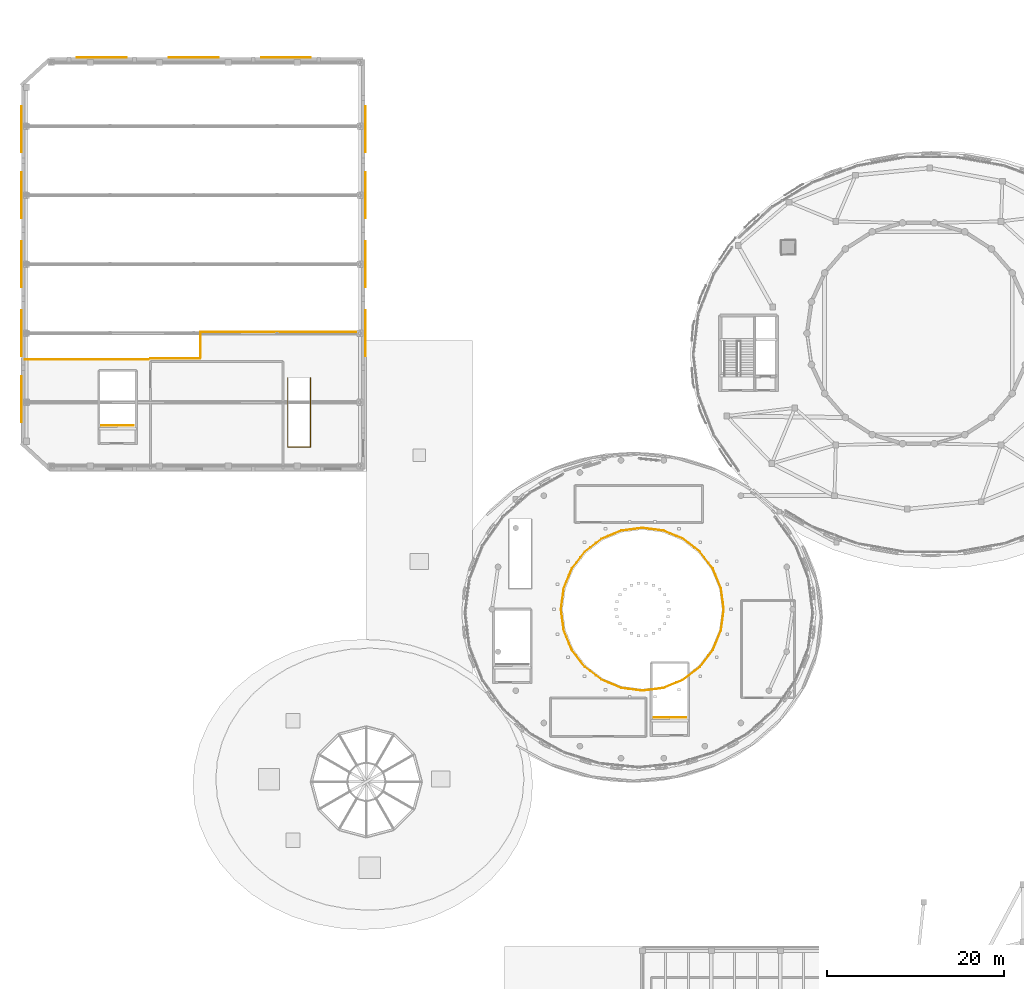
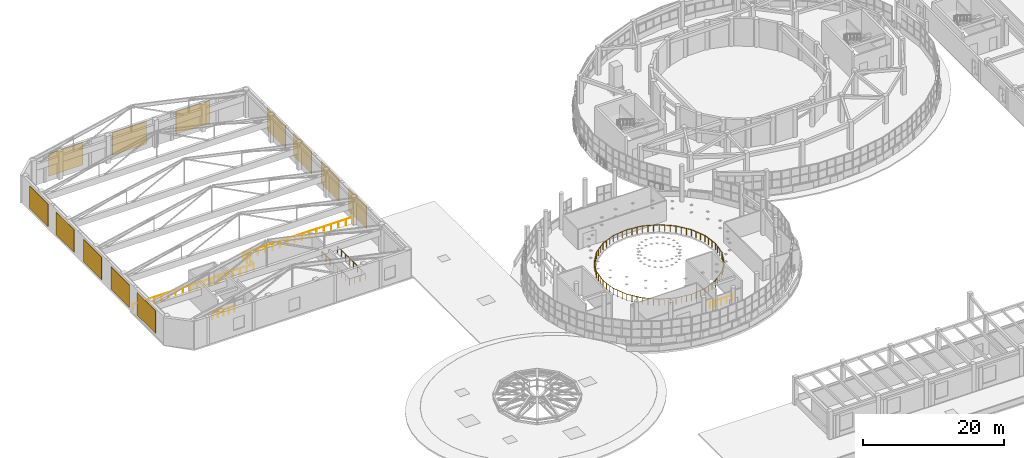
# One storey, part 102 of 105: 12 coverings, 7 railings.
"""IFC4 building model written with IfcOpenShell, lengths in metres."""

from ifc_helpers import new_model, si_unit, direction, frame, origin, origin_2d, place, context, subcontext, project, spatial, rectangle, circle, extrude, material, layer, layer_set, type_object, element, save


model = new_model("IFC4")

# Units and contexts
model_context = context("Model", 3, precision=1e-05, world=origin(), true_north=direction((0.0, 1.0)))
body_context = subcontext(model_context, "Body", "Model", "MODEL_VIEW")
ifc_project = project(units=[si_unit("LENGTHUNIT", "METRE"), si_unit("AREAUNIT", "SQUARE_METRE"), si_unit("VOLUMEUNIT", "CUBIC_METRE"), si_unit("PLANEANGLEUNIT", "RADIAN"), si_unit("MASSUNIT", "GRAM", prefix="KILO")], contexts=[model_context])

# Site, building, storey
site_placement = place(None, origin())
site = spatial("IfcSite", under=ifc_project, at=site_placement, CompositionType="ELEMENT")
building_placement = place(site_placement, origin())
building = spatial("IfcBuilding", under=site, at=building_placement, Name="Pelvatis Terrace Science Centre", CompositionType="ELEMENT")
storey_placement = place(building_placement, frame((0.0, 0.0, 10.199951171875)))
storey = spatial("IfcBuildingStorey", under=building, at=storey_placement, Name="L02", CompositionType="ELEMENT", Elevation=10.199951171875)

# Coverings
ifc_material_1 = material(Name="Fluted warm stone-aggregate precast facade relief panel", Category="masonry")
ifc_layer = layer(ifc_material_1, 0.054931640625)
ifc_layer_set = layer_set([ifc_layer], Name="Fluted warm stone-aggregate precast facade relief panel")
covering_type = type_object("IfcCoveringType", Name="COV-CLAD-PREC-55", PredefinedType="CLADDING", material=ifc_layer_set)
for number, where, z_axis, x_axis, name in (
    (1, (7.8173828125, 78.35009765625, 0.5), (0.0, 0.0, 1.0), (1.0, 0.0, 0.0), "Theatre fluted Art Deco relief panel W1 (L02)"),
    (2, (7.8173828125, 85.800048828125, 0.5), (0.0, 0.0, 1.0), (1.0, 0.0, 0.0), "Theatre fluted Art Deco relief panel W2 (L02)"),
    (3, (7.8173828125, 93.60009765625, 0.5), (0.0, 0.0, 1.0), (1.0, 0.0, 0.0), "Theatre fluted Art Deco relief panel W3 (L02)"),
    (4, (7.8173828125, 101.39990234375, 0.5), (0.0, 0.0, 1.0), (1.0, 0.0, 0.0), "Theatre fluted Art Deco relief panel W4 (L02)"),
    (5, (7.8173828125, 108.85009765625, 0.5), (0.0, 0.0, 1.0), (1.0, 0.0, 0.0), "Theatre fluted Art Deco relief panel W5 (L02)"),
):
    element("IfcCovering", number, at=place(storey_placement, frame(where, z_axis=z_axis, x_axis=x_axis)), inside=storey, type_object=covering_type, Name=name, PredefinedType="CLADDING", context=body_context, shape_type="SweptSolid", body=[
        extrude(rectangle(XDim=0.054931640625, YDim=5.199951171875, at=origin_2d()), origin(), (0.0, 0.0, 1.0), 3.89990234375),
    ])
for number, where, z_axis, x_axis, name in (
    (6, (16.89990234375, 116.982421875, 0.5), (0.0, 0.0, 1.0), (1.0, 0.0, 0.0), "Theatre fluted Art Deco relief panel N1 (L02)"),
    (7, (27.300048828125, 116.982421875, 0.5), (0.0, 0.0, 1.0), (1.0, 0.0, 0.0), "Theatre fluted Art Deco relief panel N2 (L02)"),
    (8, (37.699951171875, 116.982421875, 0.5), (0.0, 0.0, 1.0), (1.0, 0.0, 0.0), "Theatre fluted Art Deco relief panel N3 (L02)"),
):
    element("IfcCovering", number, at=place(storey_placement, frame(where, z_axis=z_axis, x_axis=x_axis)), inside=storey, type_object=covering_type, Name=name, PredefinedType="CLADDING", context=body_context, shape_type="SweptSolid", body=[
        extrude(rectangle(XDim=5.60009765625, YDim=0.054931640625, at=origin_2d()), origin(), (0.0, 0.0, 1.0), 3.89990234375),
    ])
for number, where, z_axis, x_axis, name in (
    (9, (46.6826171875, 85.800048828125, 0.5), (0.0, 0.0, 1.0), (1.0, 0.0, 0.0), "Theatre fluted Art Deco relief panel E1 (L02)"),
    (10, (46.6826171875, 93.60009765625, 0.5), (0.0, 0.0, 1.0), (1.0, 0.0, 0.0), "Theatre fluted Art Deco relief panel E2 (L02)"),
    (11, (46.6826171875, 101.39990234375, 0.5), (0.0, 0.0, 1.0), (1.0, 0.0, 0.0), "Theatre fluted Art Deco relief panel E3 (L02)"),
    (12, (46.6826171875, 108.85009765625, 0.5), (0.0, 0.0, 1.0), (1.0, 0.0, 0.0), "Theatre fluted Art Deco relief panel E4 (L02)"),
):
    element("IfcCovering", number, at=place(storey_placement, frame(where, z_axis=z_axis, x_axis=x_axis)), inside=storey, type_object=covering_type, Name=name, PredefinedType="CLADDING", context=body_context, shape_type="SweptSolid", body=[
        extrude(rectangle(XDim=0.054931640625, YDim=5.199951171875, at=origin_2d()), origin(), (0.0, 0.0, 1.0), 3.89990234375),
    ])

# Railings
ifc_material_2 = material(Name="Brushed architectural bronze tubular railing", Category="steel")
railing_type_1 = type_object("IfcRailingType", Name="RLG-ATR-1140", PredefinedType="BALUSTRADE", material=ifc_material_2)
railing_1_placement = place(storey_placement, frame((87.199951171875, 54.60009765625, 0.0)))
element("IfcRailing", 13, at=railing_1_placement, inside=storey, type_object=railing_type_1, Name="Atrium overlook balustrade RLG-ATR-L02-V2 A", PredefinedType="BALUSTRADE", context=body_context, shape_type="SweptSolid", body=[
    extrude(circle(Radius=0.02392578125, at=origin_2d()), frame((0.0, 0.0, 1.11572265625), z_axis=(-0.130525511844, 0.991444950947, 0.0), x_axis=(-0.991444950947, -0.130525511844, 0.0)), (0.0, 0.0, 1.0), 2.401611328125),
    extrude(circle(Radius=0.02392578125, at=origin_2d()), frame((-0.3134765625, 2.381103515625, 1.11572265625), z_axis=(-0.382737848776, 0.923856990618, 0.0), x_axis=(-0.923856990618, -0.382737848776, 0.0)), (0.0, 0.0, 1.0), 2.401611328125),
    extrude(circle(Radius=0.02392578125, at=origin_2d()), frame((-1.232666015625, 4.599853515625, 1.11572265625), z_axis=(-0.608698268428, 0.793401801115, 0.0), x_axis=(-0.793401801115, -0.608698268428, 0.0)), (0.0, 0.0, 1.0), 2.401611328125),
    extrude(circle(Radius=0.02392578125, at=origin_2d()), frame((-2.694580078125, 6.50537109375, 1.11572265625), z_axis=(-0.793364132735, 0.608747363764, 0.0), x_axis=(-0.608747363764, -0.793364132735, 0.0)), (0.0, 0.0, 1.0), 2.401611328125),
    extrude(circle(Radius=0.02392578125, at=origin_2d()), frame((-4.599853515625, 7.96728515625, 1.11572265625), z_axis=(-0.923871880048, 0.382701906522, 0.0), x_axis=(-0.382701906522, -0.923871880048, 0.0)), (0.0, 0.0, 1.0), 2.40185546875),
    extrude(circle(Radius=0.02392578125, at=origin_2d()), frame((-6.81884765625, 8.886474609375, 1.11572265625), z_axis=(-0.991444950947, 0.130525511844, 0.0), x_axis=(-0.130525511844, -0.991444950947, 0.0)), (0.0, 0.0, 1.0), 2.401611328125),
    extrude(circle(Radius=0.02392578125, at=origin_2d()), frame((-9.199951171875, 9.199951171875, 1.11572265625), z_axis=(-0.991444950947, -0.130525511844, 0.0), x_axis=(0.130525511844, -0.991444950947, 0.0)), (0.0, 0.0, 1.0), 2.401611328125),
    extrude(circle(Radius=0.02392578125, at=origin_2d()), frame((-11.5810546875, 8.886474609375, 1.11572265625), z_axis=(-0.923871880048, -0.382701906522, 0.0), x_axis=(0.382701906522, -0.923871880048, 0.0)), (0.0, 0.0, 1.0), 2.40185546875),
    extrude(circle(Radius=0.02392578125, at=origin_2d()), frame((-13.800048828125, 7.96728515625, 1.11572265625), z_axis=(-0.793364132735, -0.608747363764, 0.0), x_axis=(0.608747363764, -0.793364132735, 0.0)), (0.0, 0.0, 1.0), 2.401611328125),
    extrude(circle(Radius=0.02392578125, at=origin_2d()), frame((-15.705322265625, 6.50537109375, 1.11572265625), z_axis=(-0.608698268428, -0.793401801115, 0.0), x_axis=(0.793401801115, -0.608698268428, 0.0)), (0.0, 0.0, 1.0), 2.401611328125),
    extrude(circle(Radius=0.02392578125, at=origin_2d()), frame((-17.167236328125, 4.599853515625, 1.11572265625), z_axis=(-0.382737848776, -0.923856990618, 0.0), x_axis=(0.923856990618, -0.382737848776, 0.0)), (0.0, 0.0, 1.0), 2.401611328125),
    extrude(circle(Radius=0.02392578125, at=origin_2d()), frame((-18.08642578125, 2.381103515625, 1.11572265625), z_axis=(-0.130525511844, -0.991444950947, 0.0), x_axis=(0.991444950947, -0.130525511844, 0.0)), (0.0, 0.0, 1.0), 2.401611328125),
    extrude(circle(Radius=0.02099609375, at=origin_2d()), origin(), (0.0, 0.0, 1.0), 1.091796875),
    extrude(circle(Radius=0.02099609375, at=origin_2d()), frame((-0.1044921875, 0.793701171875, 0.0)), (0.0, 0.0, 1.0), 1.091796875),
    extrude(circle(Radius=0.02099609375, at=origin_2d()), frame((-0.208984375, 1.58740234375, 0.0)), (0.0, 0.0, 1.0), 1.091796875),
    extrude(circle(Radius=0.02099609375, at=origin_2d()), frame((-0.3134765625, 2.381103515625, 0.0)), (0.0, 0.0, 1.0), 1.091796875),
    extrude(circle(Radius=0.02099609375, at=origin_2d()), frame((-0.619873046875, 3.12060546875, 0.0)), (0.0, 0.0, 1.0), 1.091796875),
    extrude(circle(Radius=0.02099609375, at=origin_2d()), frame((-0.92626953125, 3.8603515625, 0.0)), (0.0, 0.0, 1.0), 1.091796875),
    extrude(circle(Radius=0.02099609375, at=origin_2d()), frame((-1.232666015625, 4.599853515625, 0.0)), (0.0, 0.0, 1.0), 1.091796875),
    extrude(circle(Radius=0.02099609375, at=origin_2d()), frame((-1.719970703125, 5.235107421875, 0.0)), (0.0, 0.0, 1.0), 1.091796875),
    extrude(circle(Radius=0.02099609375, at=origin_2d()), frame((-2.207275390625, 5.8701171875, 0.0)), (0.0, 0.0, 1.0), 1.091796875),
    extrude(circle(Radius=0.02099609375, at=origin_2d()), frame((-2.694580078125, 6.50537109375, 0.0)), (0.0, 0.0, 1.0), 1.091796875),
    extrude(circle(Radius=0.02099609375, at=origin_2d()), frame((-3.32958984375, 6.99267578125, 0.0)), (0.0, 0.0, 1.0), 1.091796875),
    extrude(circle(Radius=0.02099609375, at=origin_2d()), frame((-3.96484375, 7.47998046875, 0.0)), (0.0, 0.0, 1.0), 1.091796875),
    extrude(circle(Radius=0.02099609375, at=origin_2d()), frame((-4.599853515625, 7.96728515625, 0.0)), (0.0, 0.0, 1.0), 1.091796875),
    extrude(circle(Radius=0.02099609375, at=origin_2d()), frame((-5.339599609375, 8.273681640625, 0.0)), (0.0, 0.0, 1.0), 1.091796875),
    extrude(circle(Radius=0.02099609375, at=origin_2d()), frame((-6.0791015625, 8.580078125, 0.0)), (0.0, 0.0, 1.0), 1.091796875),
    extrude(circle(Radius=0.02099609375, at=origin_2d()), frame((-6.81884765625, 8.886474609375, 0.0)), (0.0, 0.0, 1.0), 1.091796875),
    extrude(circle(Radius=0.02099609375, at=origin_2d()), frame((-7.612548828125, 8.990966796875, 0.0)), (0.0, 0.0, 1.0), 1.091796875),
    extrude(circle(Radius=0.02099609375, at=origin_2d()), frame((-8.40625, 9.095458984375, 0.0)), (0.0, 0.0, 1.0), 1.091796875),
    extrude(circle(Radius=0.02099609375, at=origin_2d()), frame((-9.199951171875, 9.199951171875, 0.0)), (0.0, 0.0, 1.0), 1.091796875),
    extrude(circle(Radius=0.02099609375, at=origin_2d()), frame((-9.99365234375, 9.095458984375, 0.0)), (0.0, 0.0, 1.0), 1.091796875),
    extrude(circle(Radius=0.02099609375, at=origin_2d()), frame((-10.787353515625, 8.990966796875, 0.0)), (0.0, 0.0, 1.0), 1.091796875),
    extrude(circle(Radius=0.02099609375, at=origin_2d()), frame((-11.5810546875, 8.886474609375, 0.0)), (0.0, 0.0, 1.0), 1.091796875),
    extrude(circle(Radius=0.02099609375, at=origin_2d()), frame((-12.32080078125, 8.580078125, 0.0)), (0.0, 0.0, 1.0), 1.091796875),
    extrude(circle(Radius=0.02099609375, at=origin_2d()), frame((-13.060302734375, 8.273681640625, 0.0)), (0.0, 0.0, 1.0), 1.091796875),
    extrude(circle(Radius=0.02099609375, at=origin_2d()), frame((-13.800048828125, 7.96728515625, 0.0)), (0.0, 0.0, 1.0), 1.091796875),
    extrude(circle(Radius=0.02099609375, at=origin_2d()), frame((-14.43505859375, 7.47998046875, 0.0)), (0.0, 0.0, 1.0), 1.091796875),
    extrude(circle(Radius=0.02099609375, at=origin_2d()), frame((-15.0703125, 6.99267578125, 0.0)), (0.0, 0.0, 1.0), 1.091796875),
    extrude(circle(Radius=0.02099609375, at=origin_2d()), frame((-15.705322265625, 6.50537109375, 0.0)), (0.0, 0.0, 1.0), 1.091796875),
    extrude(circle(Radius=0.02099609375, at=origin_2d()), frame((-16.192626953125, 5.8701171875, 0.0)), (0.0, 0.0, 1.0), 1.091796875),
    extrude(circle(Radius=0.02099609375, at=origin_2d()), frame((-16.679931640625, 5.235107421875, 0.0)), (0.0, 0.0, 1.0), 1.091796875),
    extrude(circle(Radius=0.02099609375, at=origin_2d()), frame((-17.167236328125, 4.599853515625, 0.0)), (0.0, 0.0, 1.0), 1.091796875),
    extrude(circle(Radius=0.02099609375, at=origin_2d()), frame((-17.4736328125, 3.8603515625, 0.0)), (0.0, 0.0, 1.0), 1.091796875),
    extrude(circle(Radius=0.02099609375, at=origin_2d()), frame((-17.780029296875, 3.12060546875, 0.0)), (0.0, 0.0, 1.0), 1.091796875),
    extrude(circle(Radius=0.02099609375, at=origin_2d()), frame((-18.08642578125, 2.381103515625, 0.0)), (0.0, 0.0, 1.0), 1.091796875),
    extrude(circle(Radius=0.02099609375, at=origin_2d()), frame((-18.19091796875, 1.58740234375, 0.0)), (0.0, 0.0, 1.0), 1.091796875),
    extrude(circle(Radius=0.02099609375, at=origin_2d()), frame((-18.29541015625, 0.793701171875, 0.0)), (0.0, 0.0, 1.0), 1.091796875),
    extrude(circle(Radius=0.02099609375, at=origin_2d()), frame((-18.39990234375, 0.0, 0.0)), (0.0, 0.0, 1.0), 1.091796875),
])
railing_2_placement = place(storey_placement, frame((68.800048828125, 54.60009765625, 0.0)))
element("IfcRailing", 14, at=railing_2_placement, inside=storey, type_object=railing_type_1, Name="Atrium overlook balustrade RLG-ATR-L02-V2 B", PredefinedType="BALUSTRADE", context=body_context, shape_type="SweptSolid", body=[
    extrude(circle(Radius=0.02392578125, at=origin_2d()), frame((0.0, 0.0, 1.11572265625), z_axis=(0.130525511844, -0.991444950947, 0.0), x_axis=(0.991444950947, 0.130525511844, 0.0)), (0.0, 0.0, 1.0), 2.401611328125),
    extrude(circle(Radius=0.02392578125, at=origin_2d()), frame((0.3134765625, -2.381103515625, 1.11572265625), z_axis=(0.382701906522, -0.923871880048, 0.0), x_axis=(0.923871880048, 0.382701906522, 0.0)), (0.0, 0.0, 1.0), 2.40185546875),
    extrude(circle(Radius=0.02392578125, at=origin_2d()), frame((1.232666015625, -4.60009765625, 1.11572265625), z_axis=(0.608698268428, -0.793401801115, 0.0), x_axis=(0.793401801115, 0.608698268428, 0.0)), (0.0, 0.0, 1.0), 2.401611328125),
    extrude(circle(Radius=0.02392578125, at=origin_2d()), frame((2.694580078125, -6.505615234375, 1.11572265625), z_axis=(0.793364132735, -0.608747363764, 0.0), x_axis=(0.608747363764, 0.793364132735, 0.0)), (0.0, 0.0, 1.0), 2.401611328125),
    extrude(circle(Radius=0.02392578125, at=origin_2d()), frame((4.599853515625, -7.967529296875, 1.11572265625), z_axis=(0.923871880048, -0.382701906522, 0.0), x_axis=(0.382701906522, 0.923871880048, 0.0)), (0.0, 0.0, 1.0), 2.40185546875),
    extrude(circle(Radius=0.02392578125, at=origin_2d()), frame((6.81884765625, -8.88671875, 1.11572265625), z_axis=(0.991444950947, -0.130525511844, 0.0), x_axis=(0.130525511844, 0.991444950947, 0.0)), (0.0, 0.0, 1.0), 2.401611328125),
    extrude(circle(Radius=0.02392578125, at=origin_2d()), frame((9.199951171875, -9.2001953125, 1.11572265625), z_axis=(0.991444950947, 0.130525511844, 0.0), x_axis=(-0.130525511844, 0.991444950947, 0.0)), (0.0, 0.0, 1.0), 2.401611328125),
    extrude(circle(Radius=0.02392578125, at=origin_2d()), frame((11.5810546875, -8.88671875, 1.11572265625), z_axis=(0.923871880048, 0.382701906522, 0.0), x_axis=(-0.382701906522, 0.923871880048, 0.0)), (0.0, 0.0, 1.0), 2.40185546875),
    extrude(circle(Radius=0.02392578125, at=origin_2d()), frame((13.800048828125, -7.967529296875, 1.11572265625), z_axis=(0.793364132735, 0.608747363764, 0.0), x_axis=(-0.608747363764, 0.793364132735, 0.0)), (0.0, 0.0, 1.0), 2.401611328125),
    extrude(circle(Radius=0.02392578125, at=origin_2d()), frame((15.705322265625, -6.505615234375, 1.11572265625), z_axis=(0.608698268428, 0.793401801115, 0.0), x_axis=(-0.793401801115, 0.608698268428, 0.0)), (0.0, 0.0, 1.0), 2.401611328125),
    extrude(circle(Radius=0.02392578125, at=origin_2d()), frame((17.167236328125, -4.60009765625, 1.11572265625), z_axis=(0.382701906522, 0.923871880048, 0.0), x_axis=(-0.923871880048, 0.382701906522, 0.0)), (0.0, 0.0, 1.0), 2.40185546875),
    extrude(circle(Radius=0.02392578125, at=origin_2d()), frame((18.08642578125, -2.381103515625, 1.11572265625), z_axis=(0.130525511844, 0.991444950947, 0.0), x_axis=(-0.991444950947, 0.130525511844, 0.0)), (0.0, 0.0, 1.0), 2.401611328125),
    extrude(circle(Radius=0.02099609375, at=origin_2d()), origin(), (0.0, 0.0, 1.0), 1.091796875),
    extrude(circle(Radius=0.02099609375, at=origin_2d()), frame((0.1044921875, -0.793701171875, 0.0)), (0.0, 0.0, 1.0), 1.091796875),
    extrude(circle(Radius=0.02099609375, at=origin_2d()), frame((0.208984375, -1.58740234375, 0.0)), (0.0, 0.0, 1.0), 1.091796875),
    extrude(circle(Radius=0.02099609375, at=origin_2d()), frame((0.3134765625, -2.381103515625, 0.0)), (0.0, 0.0, 1.0), 1.091796875),
    extrude(circle(Radius=0.02099609375, at=origin_2d()), frame((0.619873046875, -3.120849609375, 0.0)), (0.0, 0.0, 1.0), 1.091796875),
    extrude(circle(Radius=0.02099609375, at=origin_2d()), frame((0.92626953125, -3.8603515625, 0.0)), (0.0, 0.0, 1.0), 1.091796875),
    extrude(circle(Radius=0.02099609375, at=origin_2d()), frame((1.232666015625, -4.60009765625, 0.0)), (0.0, 0.0, 1.0), 1.091796875),
    extrude(circle(Radius=0.02099609375, at=origin_2d()), frame((1.719970703125, -5.2353515625, 0.0)), (0.0, 0.0, 1.0), 1.091796875),
    extrude(circle(Radius=0.02099609375, at=origin_2d()), frame((2.207275390625, -5.870361328125, 0.0)), (0.0, 0.0, 1.0), 1.091796875),
    extrude(circle(Radius=0.02099609375, at=origin_2d()), frame((2.694580078125, -6.505615234375, 0.0)), (0.0, 0.0, 1.0), 1.091796875),
    extrude(circle(Radius=0.02099609375, at=origin_2d()), frame((3.32958984375, -6.992919921875, 0.0)), (0.0, 0.0, 1.0), 1.091796875),
    extrude(circle(Radius=0.02099609375, at=origin_2d()), frame((3.96484375, -7.480224609375, 0.0)), (0.0, 0.0, 1.0), 1.091796875),
    extrude(circle(Radius=0.02099609375, at=origin_2d()), frame((4.599853515625, -7.967529296875, 0.0)), (0.0, 0.0, 1.0), 1.091796875),
    extrude(circle(Radius=0.02099609375, at=origin_2d()), frame((5.339599609375, -8.27392578125, 0.0)), (0.0, 0.0, 1.0), 1.091796875),
    extrude(circle(Radius=0.02099609375, at=origin_2d()), frame((6.0791015625, -8.580322265625, 0.0)), (0.0, 0.0, 1.0), 1.091796875),
    extrude(circle(Radius=0.02099609375, at=origin_2d()), frame((6.81884765625, -8.88671875, 0.0)), (0.0, 0.0, 1.0), 1.091796875),
    extrude(circle(Radius=0.02099609375, at=origin_2d()), frame((7.612548828125, -8.9912109375, 0.0)), (0.0, 0.0, 1.0), 1.091796875),
    extrude(circle(Radius=0.02099609375, at=origin_2d()), frame((8.40625, -9.095703125, 0.0)), (0.0, 0.0, 1.0), 1.091796875),
    extrude(circle(Radius=0.02099609375, at=origin_2d()), frame((9.199951171875, -9.2001953125, 0.0)), (0.0, 0.0, 1.0), 1.091796875),
    extrude(circle(Radius=0.02099609375, at=origin_2d()), frame((9.99365234375, -9.095703125, 0.0)), (0.0, 0.0, 1.0), 1.091796875),
    extrude(circle(Radius=0.02099609375, at=origin_2d()), frame((10.787353515625, -8.9912109375, 0.0)), (0.0, 0.0, 1.0), 1.091796875),
    extrude(circle(Radius=0.02099609375, at=origin_2d()), frame((11.5810546875, -8.88671875, 0.0)), (0.0, 0.0, 1.0), 1.091796875),
    extrude(circle(Radius=0.02099609375, at=origin_2d()), frame((12.32080078125, -8.580322265625, 0.0)), (0.0, 0.0, 1.0), 1.091796875),
    extrude(circle(Radius=0.02099609375, at=origin_2d()), frame((13.060302734375, -8.27392578125, 0.0)), (0.0, 0.0, 1.0), 1.091796875),
    extrude(circle(Radius=0.02099609375, at=origin_2d()), frame((13.800048828125, -7.967529296875, 0.0)), (0.0, 0.0, 1.0), 1.091796875),
    extrude(circle(Radius=0.02099609375, at=origin_2d()), frame((14.43505859375, -7.480224609375, 0.0)), (0.0, 0.0, 1.0), 1.091796875),
    extrude(circle(Radius=0.02099609375, at=origin_2d()), frame((15.0703125, -6.992919921875, 0.0)), (0.0, 0.0, 1.0), 1.091796875),
    extrude(circle(Radius=0.02099609375, at=origin_2d()), frame((15.705322265625, -6.505615234375, 0.0)), (0.0, 0.0, 1.0), 1.091796875),
    extrude(circle(Radius=0.02099609375, at=origin_2d()), frame((16.192626953125, -5.870361328125, 0.0)), (0.0, 0.0, 1.0), 1.091796875),
    extrude(circle(Radius=0.02099609375, at=origin_2d()), frame((16.679931640625, -5.2353515625, 0.0)), (0.0, 0.0, 1.0), 1.091796875),
    extrude(circle(Radius=0.02099609375, at=origin_2d()), frame((17.167236328125, -4.60009765625, 0.0)), (0.0, 0.0, 1.0), 1.091796875),
    extrude(circle(Radius=0.02099609375, at=origin_2d()), frame((17.4736328125, -3.8603515625, 0.0)), (0.0, 0.0, 1.0), 1.091796875),
    extrude(circle(Radius=0.02099609375, at=origin_2d()), frame((17.780029296875, -3.120849609375, 0.0)), (0.0, 0.0, 1.0), 1.091796875),
    extrude(circle(Radius=0.02099609375, at=origin_2d()), frame((18.08642578125, -2.381103515625, 0.0)), (0.0, 0.0, 1.0), 1.091796875),
    extrude(circle(Radius=0.02099609375, at=origin_2d()), frame((18.19091796875, -1.58740234375, 0.0)), (0.0, 0.0, 1.0), 1.091796875),
    extrude(circle(Radius=0.02099609375, at=origin_2d()), frame((18.29541015625, -0.793701171875, 0.0)), (0.0, 0.0, 1.0), 1.091796875),
    extrude(circle(Radius=0.02099609375, at=origin_2d()), frame((18.39990234375, 0.0, 0.0)), (0.0, 0.0, 1.0), 1.091796875),
])
railing_3_placement = place(storey_placement, frame((8.199951171875, 82.85009765625, 0.0)))
element("IfcRailing", 15, at=railing_3_placement, inside=storey, type_object=railing_type_1, Name="Theatre upper balcony balustrade", PredefinedType="BALUSTRADE", context=body_context, shape_type="SweptSolid", body=[
    extrude(circle(Radius=0.02392578125, at=origin_2d()), frame((0.0, 0.0, 1.11572265625), z_axis=(1.0, 0.0, 0.0), x_axis=(0.0, 1.0, 0.0)), (0.0, 0.0, 1.0), 14.0),
    extrude(circle(Radius=0.02099609375, at=origin_2d()), origin(), (0.0, 0.0, 1.0), 1.091796875),
    extrude(circle(Radius=0.02099609375, at=origin_2d()), frame((1.166748046875, 0.0, 0.0)), (0.0, 0.0, 1.0), 1.091796875),
    extrude(circle(Radius=0.02099609375, at=origin_2d()), frame((2.333251953125, 0.0, 0.0)), (0.0, 0.0, 1.0), 1.091796875),
    extrude(circle(Radius=0.02099609375, at=origin_2d()), frame((3.5, 0.0, 0.0)), (0.0, 0.0, 1.0), 1.091796875),
    extrude(circle(Radius=0.02099609375, at=origin_2d()), frame((4.666748046875, 0.0, 0.0)), (0.0, 0.0, 1.0), 1.091796875),
    extrude(circle(Radius=0.02099609375, at=origin_2d()), frame((5.833251953125, 0.0, 0.0)), (0.0, 0.0, 1.0), 1.091796875),
    extrude(circle(Radius=0.02099609375, at=origin_2d()), frame((7.0, 0.0, 0.0)), (0.0, 0.0, 1.0), 1.091796875),
    extrude(circle(Radius=0.02099609375, at=origin_2d()), frame((8.166748046875, 0.0, 0.0)), (0.0, 0.0, 1.0), 1.091796875),
    extrude(circle(Radius=0.02099609375, at=origin_2d()), frame((9.333251953125, 0.0, 0.0)), (0.0, 0.0, 1.0), 1.091796875),
    extrude(circle(Radius=0.02099609375, at=origin_2d()), frame((10.5, 0.0, 0.0)), (0.0, 0.0, 1.0), 1.091796875),
    extrude(circle(Radius=0.02099609375, at=origin_2d()), frame((11.666748046875, 0.0, 0.0)), (0.0, 0.0, 1.0), 1.091796875),
    extrude(circle(Radius=0.02099609375, at=origin_2d()), frame((12.833251953125, 0.0, 0.0)), (0.0, 0.0, 1.0), 1.091796875),
    extrude(circle(Radius=0.02099609375, at=origin_2d()), frame((14.0, 0.0, 0.0)), (0.0, 0.0, 1.0), 1.091796875),
])
ifc_material_3 = material(Name="Bronze-anodised aluminium and laminated safety glass balustrade", Category="aluminium")
railing_type_2 = type_object("IfcRailingType", Name="RLG-BAL-1150", PredefinedType="BALUSTRADE", material=ifc_material_3)
railing_4_placement = place(storey_placement, frame((22.400390625, 82.93994140625, 0.0)))
element("IfcRailing", 16, at=railing_4_placement, inside=storey, type_object=railing_type_2, Name="Perimeter edge balustrade RLG-EDG-L02-339", PredefinedType="BALUSTRADE", context=body_context, shape_type="SweptSolid", body=[
    extrude(circle(Radius=0.02392578125, at=origin_2d()), frame((0.0, 0.0, 1.1259765625), z_axis=(0.999998245356, 0.001873308554, 0.0), x_axis=(-0.001873308554, 0.999998245356, 0.0)), (0.0, 0.0, 1.0), 5.60400390625),
    extrude(circle(Radius=0.02392578125, at=origin_2d()), frame((5.60400390625, 0.010498046875, 1.1259765625), z_axis=(0.527708504748, 0.849425531766, 0.0), x_axis=(-0.849425531766, 0.527708504748, 0.0)), (0.0, 0.0, 1.0), 0.10546875),
    extrude(circle(Radius=0.02392578125, at=origin_2d()), frame((5.65966796875, 0.10009765625, 1.1259765625), z_axis=(0.0, 1.0, 0.0), x_axis=(-1.0, 0.0, 0.0)), (0.0, 0.0, 1.0), 2.89990234375),
    extrude(circle(Radius=0.02392578125, at=origin_2d()), frame((5.65966796875, 3.0, 1.1259765625), z_axis=(1.0, 0.0, 0.0), x_axis=(0.0, 1.0, 0.0)), (0.0, 0.0, 1.0), 17.96484375),
    extrude(circle(Radius=0.02099609375, at=origin_2d()), origin(), (0.0, 0.0, 1.0), 1.101806640625),
    extrude(circle(Radius=0.02099609375, at=origin_2d()), frame((1.120849609375, 0.002197265625, 0.0)), (0.0, 0.0, 1.0), 1.101806640625),
    extrude(circle(Radius=0.02099609375, at=origin_2d()), frame((2.24169921875, 0.004150390625, 0.0)), (0.0, 0.0, 1.0), 1.101806640625),
    extrude(circle(Radius=0.02099609375, at=origin_2d()), frame((3.3623046875, 0.00634765625, 0.0)), (0.0, 0.0, 1.0), 1.101806640625),
    extrude(circle(Radius=0.02099609375, at=origin_2d()), frame((4.483154296875, 0.00830078125, 0.0)), (0.0, 0.0, 1.0), 1.101806640625),
    extrude(circle(Radius=0.02099609375, at=origin_2d()), frame((5.60400390625, 0.010498046875, 0.0)), (0.0, 0.0, 1.0), 1.101806640625),
    extrude(circle(Radius=0.02099609375, at=origin_2d()), frame((5.65966796875, 0.10009765625, 0.0)), (0.0, 0.0, 1.0), 1.101806640625),
    extrude(circle(Radius=0.02099609375, at=origin_2d()), frame((5.65966796875, 1.066650390625, 0.0)), (0.0, 0.0, 1.0), 1.101806640625),
    extrude(circle(Radius=0.02099609375, at=origin_2d()), frame((5.65966796875, 2.033447265625, 0.0)), (0.0, 0.0, 1.0), 1.101806640625),
    extrude(circle(Radius=0.02099609375, at=origin_2d()), frame((5.65966796875, 3.0, 0.0)), (0.0, 0.0, 1.0), 1.101806640625),
    extrude(circle(Radius=0.02099609375, at=origin_2d()), frame((6.857421875, 3.0, 0.0)), (0.0, 0.0, 1.0), 1.101806640625),
    extrude(circle(Radius=0.02099609375, at=origin_2d()), frame((8.054931640625, 3.0, 0.0)), (0.0, 0.0, 1.0), 1.101806640625),
    extrude(circle(Radius=0.02099609375, at=origin_2d()), frame((9.252685546875, 3.0, 0.0)), (0.0, 0.0, 1.0), 1.101806640625),
    extrude(circle(Radius=0.02099609375, at=origin_2d()), frame((10.4501953125, 3.0, 0.0)), (0.0, 0.0, 1.0), 1.101806640625),
    extrude(circle(Radius=0.02099609375, at=origin_2d()), frame((11.64794921875, 3.0, 0.0)), (0.0, 0.0, 1.0), 1.101806640625),
    extrude(circle(Radius=0.02099609375, at=origin_2d()), frame((12.845703125, 3.0, 0.0)), (0.0, 0.0, 1.0), 1.101806640625),
    extrude(circle(Radius=0.02099609375, at=origin_2d()), frame((14.043212890625, 3.0, 0.0)), (0.0, 0.0, 1.0), 1.101806640625),
    extrude(circle(Radius=0.02099609375, at=origin_2d()), frame((15.240966796875, 3.0, 0.0)), (0.0, 0.0, 1.0), 1.101806640625),
    extrude(circle(Radius=0.02099609375, at=origin_2d()), frame((16.4384765625, 3.0, 0.0)), (0.0, 0.0, 1.0), 1.101806640625),
    extrude(circle(Radius=0.02099609375, at=origin_2d()), frame((17.63623046875, 3.0, 0.0)), (0.0, 0.0, 1.0), 1.101806640625),
    extrude(circle(Radius=0.02099609375, at=origin_2d()), frame((18.833984375, 3.0, 0.0)), (0.0, 0.0, 1.0), 1.101806640625),
    extrude(circle(Radius=0.02099609375, at=origin_2d()), frame((20.031494140625, 3.0, 0.0)), (0.0, 0.0, 1.0), 1.101806640625),
    extrude(circle(Radius=0.02099609375, at=origin_2d()), frame((21.229248046875, 3.0, 0.0)), (0.0, 0.0, 1.0), 1.101806640625),
    extrude(circle(Radius=0.02099609375, at=origin_2d()), frame((22.4267578125, 3.0, 0.0)), (0.0, 0.0, 1.0), 1.101806640625),
    extrude(circle(Radius=0.02099609375, at=origin_2d()), frame((23.62451171875, 3.0, 0.0)), (0.0, 0.0, 1.0), 1.101806640625),
])
ifc_material_4 = material(Name="Brushed architectural bronze tubular railing", Category="steel")
railing_type_3 = type_object("IfcRailingType", Name="RLG-GRD-1120", PredefinedType="GUARDRAIL", material=ifc_material_4)
railing_5_placement = place(storey_placement, frame((79.280029296875, 42.3798828125, 0.0)))
element("IfcRailing", 17, at=railing_5_placement, inside=storey, type_object=railing_type_3, Name="Stair ST-06 top-storey well guard", PredefinedType="GUARDRAIL", context=body_context, shape_type="SweptSolid", body=[
    extrude(circle(Radius=0.02392578125, at=origin_2d()), frame((0.0, 0.0, 1.09619140625), z_axis=(1.0, 0.0, 0.0), x_axis=(0.0, 1.0, 0.0)), (0.0, 0.0, 1.0), 3.639892578125),
    extrude(circle(Radius=0.02099609375, at=origin_2d()), origin(), (0.0, 0.0, 1.0), 1.072021484375),
    extrude(circle(Radius=0.02099609375, at=origin_2d()), frame((0.909912109375, 0.0, 0.0)), (0.0, 0.0, 1.0), 1.072021484375),
    extrude(circle(Radius=0.02099609375, at=origin_2d()), frame((1.81982421875, 0.0, 0.0)), (0.0, 0.0, 1.0), 1.072021484375),
    extrude(circle(Radius=0.02099609375, at=origin_2d()), frame((2.72998046875, 0.0, 0.0)), (0.0, 0.0, 1.0), 1.072021484375),
    extrude(circle(Radius=0.02099609375, at=origin_2d()), frame((3.639892578125, 0.0, 0.0)), (0.0, 0.0, 1.0), 1.072021484375),
])
railing_6_placement = place(storey_placement, frame((16.8798828125, 75.3798828125, 0.0)))
element("IfcRailing", 18, at=railing_6_placement, inside=storey, type_object=railing_type_3, Name="Stair ST-07 top-storey well guard", PredefinedType="GUARDRAIL", context=body_context, shape_type="SweptSolid", body=[
    extrude(circle(Radius=0.02392578125, at=origin_2d()), frame((0.0, 0.0, 1.09619140625), z_axis=(1.0, 0.0, 0.0), x_axis=(0.0, 1.0, 0.0)), (0.0, 0.0, 1.0), 3.64013671875),
    extrude(circle(Radius=0.02099609375, at=origin_2d()), origin(), (0.0, 0.0, 1.0), 1.072021484375),
    extrude(circle(Radius=0.02099609375, at=origin_2d()), frame((0.91015625, 0.0, 0.0)), (0.0, 0.0, 1.0), 1.072021484375),
    extrude(circle(Radius=0.02099609375, at=origin_2d()), frame((1.820068359375, 0.0, 0.0)), (0.0, 0.0, 1.0), 1.072021484375),
    extrude(circle(Radius=0.02099609375, at=origin_2d()), frame((2.72998046875, 0.0, 0.0)), (0.0, 0.0, 1.0), 1.072021484375),
    extrude(circle(Radius=0.02099609375, at=origin_2d()), frame((3.64013671875, 0.0, 0.0)), (0.0, 0.0, 1.0), 1.072021484375),
])
railing_7_placement = place(storey_placement, frame((37.919921875, 80.75, 0.0)))
element("IfcRailing", 19, at=railing_7_placement, inside=storey, type_object=railing_type_3, Name="Stair FST-04 upper well guardrail", PredefinedType="GUARDRAIL", context=body_context, shape_type="SweptSolid", body=[
    extrude(circle(Radius=0.02392578125, at=origin_2d()), frame((0.0, 0.0, 1.09619140625), z_axis=(0.0, -1.0, 0.0), x_axis=(1.0, 0.0, 0.0)), (0.0, 0.0, 1.0), 7.830078125),
    extrude(circle(Radius=0.02392578125, at=origin_2d()), frame((0.0, -7.830078125, 1.09619140625), z_axis=(1.0, 0.0, 0.0), x_axis=(0.0, 1.0, 0.0)), (0.0, 0.0, 1.0), 2.56005859375),
    extrude(circle(Radius=0.02392578125, at=origin_2d()), frame((2.56005859375, -7.830078125, 1.09619140625), z_axis=(0.0, 1.0, 0.0), x_axis=(-1.0, 0.0, 0.0)), (0.0, 0.0, 1.0), 7.830078125),
    extrude(circle(Radius=0.02099609375, at=origin_2d()), origin(), (0.0, 0.0, 1.0), 1.072021484375),
    extrude(circle(Radius=0.02099609375, at=origin_2d()), frame((0.0, -1.11865234375, 0.0)), (0.0, 0.0, 1.0), 1.072021484375),
    extrude(circle(Radius=0.02099609375, at=origin_2d()), frame((0.0, -2.237060546875, 0.0)), (0.0, 0.0, 1.0), 1.072021484375),
    extrude(circle(Radius=0.02099609375, at=origin_2d()), frame((0.0, -3.355712890625, 0.0)), (0.0, 0.0, 1.0), 1.072021484375),
    extrude(circle(Radius=0.02099609375, at=origin_2d()), frame((0.0, -4.474365234375, 0.0)), (0.0, 0.0, 1.0), 1.072021484375),
    extrude(circle(Radius=0.02099609375, at=origin_2d()), frame((0.0, -5.593017578125, 0.0)), (0.0, 0.0, 1.0), 1.072021484375),
    extrude(circle(Radius=0.02099609375, at=origin_2d()), frame((0.0, -6.71142578125, 0.0)), (0.0, 0.0, 1.0), 1.072021484375),
    extrude(circle(Radius=0.02099609375, at=origin_2d()), frame((0.0, -7.830078125, 0.0)), (0.0, 0.0, 1.0), 1.072021484375),
    extrude(circle(Radius=0.02099609375, at=origin_2d()), frame((0.853271484375, -7.830078125, 0.0)), (0.0, 0.0, 1.0), 1.072021484375),
    extrude(circle(Radius=0.02099609375, at=origin_2d()), frame((1.706787109375, -7.830078125, 0.0)), (0.0, 0.0, 1.0), 1.072021484375),
    extrude(circle(Radius=0.02099609375, at=origin_2d()), frame((2.56005859375, -7.830078125, 0.0)), (0.0, 0.0, 1.0), 1.072021484375),
    extrude(circle(Radius=0.02099609375, at=origin_2d()), frame((2.56005859375, -6.71142578125, 0.0)), (0.0, 0.0, 1.0), 1.072021484375),
    extrude(circle(Radius=0.02099609375, at=origin_2d()), frame((2.56005859375, -5.593017578125, 0.0)), (0.0, 0.0, 1.0), 1.072021484375),
    extrude(circle(Radius=0.02099609375, at=origin_2d()), frame((2.56005859375, -4.474365234375, 0.0)), (0.0, 0.0, 1.0), 1.072021484375),
    extrude(circle(Radius=0.02099609375, at=origin_2d()), frame((2.56005859375, -3.355712890625, 0.0)), (0.0, 0.0, 1.0), 1.072021484375),
    extrude(circle(Radius=0.02099609375, at=origin_2d()), frame((2.56005859375, -2.237060546875, 0.0)), (0.0, 0.0, 1.0), 1.072021484375),
    extrude(circle(Radius=0.02099609375, at=origin_2d()), frame((2.56005859375, -1.11865234375, 0.0)), (0.0, 0.0, 1.0), 1.072021484375),
    extrude(circle(Radius=0.02099609375, at=origin_2d()), frame((2.56005859375, 0.0, 0.0)), (0.0, 0.0, 1.0), 1.072021484375),
])

save(model, "model.ifc")
